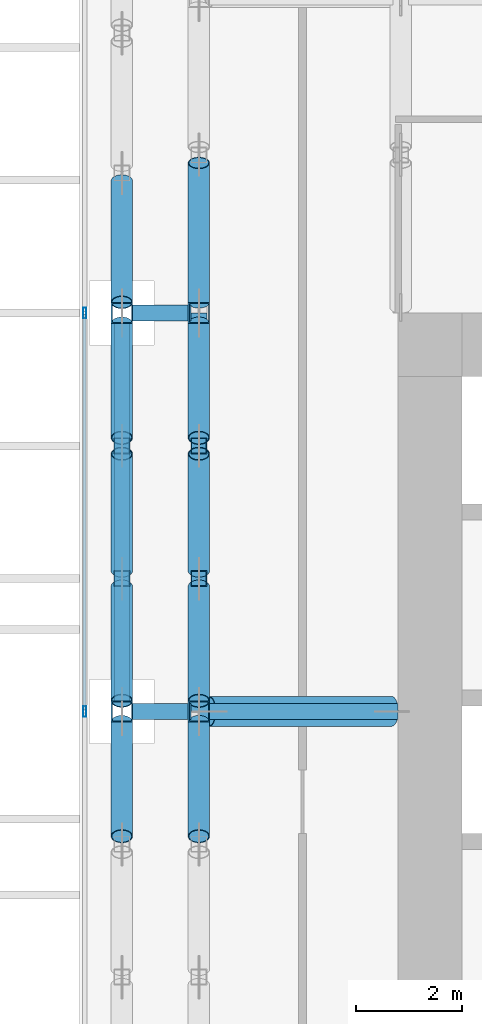
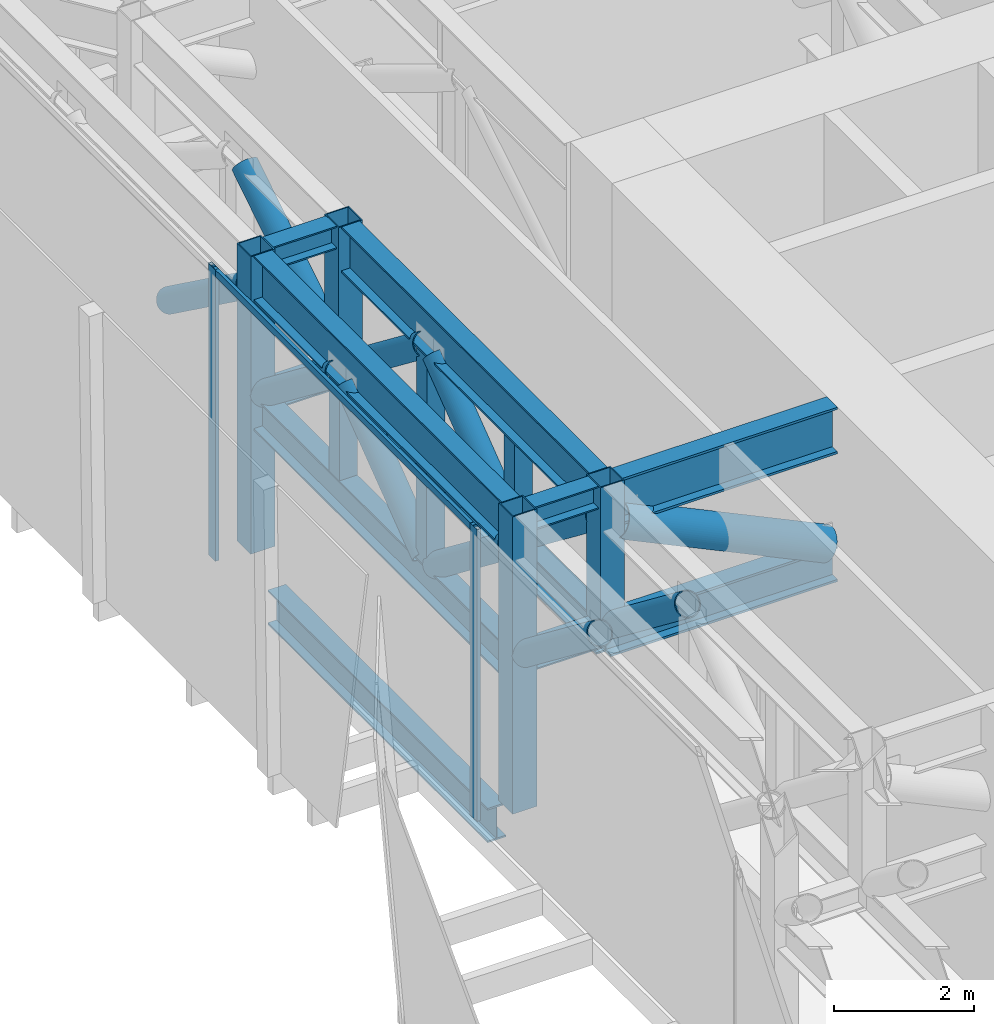
# One storey, part 17 of 39: 28 members, 5 beams, 1 element without a shape of its own.
"""IFC4 building model written with IfcOpenShell, lengths in metres."""

from ifc_helpers import new_model, si_unit, direction, frame, origin, origin_2d, place, context, subcontext, project, spatial, hollow_rectangle, hollow_circle, i_section, extrude, source, transform, mapped, material, material_profile, profile_set, type_object, element, aggregate, save


model = new_model("IFC4")

# Units and contexts
model_context = context("Model", 3, precision=1e-05, world=origin(), true_north=direction((0.0, 1.0)))
body_context = subcontext(model_context, "Body", "Model", "MODEL_VIEW")
ifc_project = project(units=[si_unit("LENGTHUNIT", "METRE"), si_unit("AREAUNIT", "SQUARE_METRE"), si_unit("VOLUMEUNIT", "CUBIC_METRE"), si_unit("PLANEANGLEUNIT", "RADIAN"), si_unit("MASSUNIT", "GRAM", prefix="KILO")], contexts=[model_context])

# Site, building, storey
site_placement = place(None, origin())
site = spatial("IfcSite", under=ifc_project, at=site_placement, CompositionType="ELEMENT")
building_placement = place(site_placement, origin())
building = spatial("IfcBuilding", under=site, at=building_placement, Name="Khomas Fold Tower", CompositionType="ELEMENT")
storey_placement = place(building_placement, frame((0.0, 0.0, 96.0)))
storey = spatial("IfcBuildingStorey", under=building, at=storey_placement, Name="L20", CompositionType="ELEMENT", Elevation=96.0)

# Beam
ifc_material_1 = material(Name="Steel S355", Category="steel")
ifc_material_profile_1 = material_profile(ifc_material_1, i_section(OverallWidth=0.300048828125, OverallDepth=0.60009765625, WebThickness=0.015380859375, FlangeThickness=0.030029296875, at=origin_2d()), Name="HE 600 B")
ifc_profile_set_1 = profile_set([ifc_material_profile_1], Name="Steel S355")
beam_type_1 = type_object("IfcBeamType", Name="HE 600 B spandrel SB1", PredefinedType="SPANDREL", material=ifc_profile_set_1)
shared_shape_1 = source(origin(), body_context, "Body", "SweptSolid", [
    extrude(i_section(OverallWidth=0.300048828125, OverallDepth=0.60009765625, WebThickness=0.015380859375, FlangeThickness=0.030029296875, at=origin_2d()), origin(), (0.0, 0.0, 1.0), 6.2998046875),
])
beam_placement = place(storey_placement, frame((0.800048828125, 35.10009765625, -0.699951171875), z_axis=(0.0, 1.0, 0.0), x_axis=(-1.0, 0.0, 0.0)))
element("IfcBeam", 1, at=beam_placement, inside=storey, type_object=beam_type_1, Name="SB1", PredefinedType="SPANDREL", context=body_context, shape_type="MappedRepresentation", body=[
    mapped(shared_shape_1, transform((0.0, 0.0, 0.0))),
])

# Members
ifc_material_2 = material(Name="Steel S355", Category="steel")
ifc_material_profile_2 = material_profile(ifc_material_2, i_section(OverallWidth=0.300048828125, OverallDepth=0.60009765625, WebThickness=0.015380859375, FlangeThickness=0.030029296875, at=origin_2d()), Name="HE 600 B")
ifc_profile_set_2 = profile_set([ifc_material_profile_2], Name="Steel S355")
member_type_1 = type_object("IfcMemberType", Name="BELT TRUSS 1 BOTTOM CHORD HE 600 B", PredefinedType="CHORD", material=ifc_profile_set_2)
shared_shape_2 = source(origin(), body_context, "Body", "SweptSolid", [
    extrude(i_section(OverallWidth=0.300048828125, OverallDepth=0.60009765625, WebThickness=0.015380859375, FlangeThickness=0.030029296875, at=origin_2d()), origin(), (0.0, 0.0, 1.0), 7.5),
])
member_1_placement = place(storey_placement, frame((2.25, 42.0, 2.449951171875), z_axis=(0.0, -1.0, 0.0), x_axis=(1.0, 0.0, 0.0)))
element("IfcMember", 2, at=member_1_placement, inside=storey, type_object=member_type_1, Name="BT1-CB", PredefinedType="CHORD", context=body_context, shape_type="MappedRepresentation", body=[
    mapped(shared_shape_2, transform((0.0, 0.0, 0.0))),
])
ifc_material_3 = material(Name="Steel S355", Category="steel")
ifc_material_profile_3 = material_profile(ifc_material_3, hollow_circle(Radius=0.203125, WallThickness=0.01611328125, at=origin_2d()), Name="CHS 406.4x16")
ifc_profile_set_3 = profile_set([ifc_material_profile_3], Name="Steel S355")
member_type_2 = type_object("IfcMemberType", Name="BELT TRUSS 1 DIAGONAL CHS 406.4x16", PredefinedType="BRACE", material=ifc_profile_set_3)
shared_shape_3 = source(origin(), body_context, "Body", "SweptSolid", [
    extrude(hollow_circle(Radius=0.203125, WallThickness=0.01611328125, at=origin_2d()), origin(), (0.0, 0.0, 1.0), 2.822998046875),
])
member_2_placement = place(storey_placement, frame((0.800048828125, 44.4833984375, 2.7451171875), z_axis=(0.0, -0.808866956084, 0.587991706876), x_axis=(1.0, 0.0, 0.0)))
element("IfcMember", 3, at=member_2_placement, inside=storey, type_object=member_type_2, Name="BT1-D", PredefinedType="BRACE", context=body_context, shape_type="MappedRepresentation", body=[
    mapped(shared_shape_3, transform((0.0, 0.0, 0.0))),
])
ifc_material_4 = material(Name="Steel S355", Category="steel")
ifc_material_profile_4 = material_profile(ifc_material_4, hollow_rectangle(XDim=0.300048828125, YDim=0.300048828125, WallThickness=0.01611328125, at=origin_2d()), Name="SHS 300x300x16")
ifc_profile_set_4 = profile_set([ifc_material_profile_4], Name="Steel S355")
member_type_3 = type_object("IfcMemberType", Name="BELT TRUSS 1 MID POST SHS 300x300x16", PredefinedType="POST", material=ifc_profile_set_4)
shared_shape_4 = source(origin(), body_context, "Body", "SweptSolid", [
    extrude(hollow_rectangle(XDim=0.300048828125, YDim=0.300048828125, WallThickness=0.01611328125, at=origin_2d()), origin(), (0.0, 0.0, 1.0), 1.64990234375),
])
for number, where, z_axis, x_axis, name in (
    (4, (0.800048828125, 39.5, 2.75), (0.0, 0.0, 1.0), (1.0, 0.0, 0.0), "BT1-M"),
    (5, (0.800048828125, 37.0, 2.75), (0.0, 0.0, 1.0), (1.0, 0.0, 0.0), "BT1-M"),
    (6, (2.25, 39.5, 2.75), (0.0, 0.0, 1.0), (1.0, 0.0, 0.0), "BT1-M"),
    (7, (2.25, 37.0, 2.75), (0.0, 0.0, 1.0), (1.0, 0.0, 0.0), "BT1-M"),
):
    element("IfcMember", number, at=place(storey_placement, frame(where, z_axis=z_axis, x_axis=x_axis)), inside=storey, type_object=member_type_3, Name=name, PredefinedType="POST", context=body_context, shape_type="MappedRepresentation", body=[
        mapped(shared_shape_4, transform((0.0, 0.0, 0.0))),
    ])
ifc_material_5 = material(Name="Steel S460M", Category="steel")
ifc_material_profile_5 = material_profile(ifc_material_5, i_section(OverallWidth=0.300048828125, OverallDepth=0.800048828125, WebThickness=0.017578125, FlangeThickness=0.032958984375, at=origin_2d()), Name="HE 800 B")
ifc_profile_set_5 = profile_set([ifc_material_profile_5], Name="Steel S460M")
member_type_4 = type_object("IfcMemberType", Name="BELT TRUSS 1 TOP CHORD HE 800 B", PredefinedType="CHORD", material=ifc_profile_set_5)
shared_shape_5 = source(origin(), body_context, "Body", "SweptSolid", [
    extrude(i_section(OverallWidth=0.300048828125, OverallDepth=0.800048828125, WebThickness=0.017578125, FlangeThickness=0.032958984375, at=origin_2d()), origin(), (0.0, 0.0, 1.0), 7.10009765625),
])
for number, where, z_axis, x_axis, name in (
    (8, (0.800048828125, 41.800048828125, 4.800048828125), (0.0, -1.0, 0.0), (1.0, 0.0, 0.0), "BT1-CT"),
    (9, (2.25, 41.800048828125, 4.800048828125), (0.0, -1.0, 0.0), (1.0, 0.0, 0.0), "BT1-CT"),
):
    element("IfcMember", number, at=place(storey_placement, frame(where, z_axis=z_axis, x_axis=x_axis)), inside=storey, type_object=member_type_4, Name=name, PredefinedType="CHORD", context=body_context, shape_type="MappedRepresentation", body=[
        mapped(shared_shape_5, transform((0.0, 0.0, 0.0))),
    ])
shared_shape_6 = source(origin(), body_context, "Body", "SweptSolid", [
    extrude(i_section(OverallWidth=0.300048828125, OverallDepth=0.60009765625, WebThickness=0.015380859375, FlangeThickness=0.030029296875, at=origin_2d()), origin(), (0.0, 0.0, 1.0), 7.10009765625),
])
member_3_placement = place(storey_placement, frame((0.800048828125, 41.800048828125, 2.449951171875), z_axis=(0.0, -1.0, 0.0), x_axis=(1.0, 0.0, 0.0)))
element("IfcMember", 10, at=member_3_placement, inside=storey, type_object=member_type_1, Name="BT1-CB", PredefinedType="CHORD", context=body_context, shape_type="MappedRepresentation", body=[
    mapped(shared_shape_6, transform((0.0, 0.0, 0.0))),
])
shared_shape_7 = source(origin(), body_context, "Body", "SweptSolid", [
    extrude(hollow_circle(Radius=0.203125, WallThickness=0.01611328125, at=origin_2d()), origin(), (0.0, 0.0, 1.0), 2.71630859375),
])
for number, where, z_axis, x_axis, name in (
    (11, (0.800048828125, 41.800048828125, 2.7451171875), (0.0, -0.791563625226, 0.611086759159), (1.0, 0.0, 0.0), "BT1-D"),
    (12, (0.800048828125, 36.85009765625, 2.7451171875), (0.0, -0.791563625226, 0.611086759159), (1.0, 0.0, 0.0), "BT1-D"),
    (13, (0.800048828125, 34.300048828125, 2.7451171875), (0.0, -0.791563625226, 0.611086759159), (1.0, 0.0, 0.0), "BT1-D"),
    (14, (2.25, 41.800048828125, 2.7451171875), (0.0, -0.791563625226, 0.611086759159), (1.0, 0.0, 0.0), "BT1-D"),
    (15, (2.25, 36.85009765625, 2.7451171875), (0.0, -0.791563625226, 0.611086759159), (1.0, 0.0, 0.0), "BT1-D"),
    (16, (2.25, 34.300048828125, 2.7451171875), (0.0, -0.791563625226, 0.611086759159), (1.0, 0.0, 0.0), "BT1-D"),
):
    element("IfcMember", number, at=place(storey_placement, frame(where, z_axis=z_axis, x_axis=x_axis)), inside=storey, type_object=member_type_2, Name=name, PredefinedType="BRACE", context=body_context, shape_type="MappedRepresentation", body=[
        mapped(shared_shape_7, transform((0.0, 0.0, 0.0))),
    ])
shared_shape_8 = source(origin(), body_context, "Body", "SweptSolid", [
    extrude(hollow_circle(Radius=0.203125, WallThickness=0.01611328125, at=origin_2d()), origin(), (0.0, 0.0, 1.0), 2.756103515625),
])
for number, where, z_axis, x_axis, name in (
    (17, (0.800048828125, 39.35009765625, 4.405029296875), (0.0, -0.798296022167, -0.602265274602), (1.0, 0.0, 0.0), "BT1-D"),
    (18, (2.25, 39.35009765625, 4.405029296875), (0.0, -0.798296022167, -0.602265274602), (1.0, 0.0, 0.0), "BT1-D"),
):
    element("IfcMember", number, at=place(storey_placement, frame(where, z_axis=z_axis, x_axis=x_axis)), inside=storey, type_object=member_type_2, Name=name, PredefinedType="BRACE", context=body_context, shape_type="MappedRepresentation", body=[
        mapped(shared_shape_8, transform((0.0, 0.0, 0.0))),
    ])
shared_shape_9 = source(origin(), body_context, "Body", "SweptSolid", [
    extrude(hollow_circle(Radius=0.203125, WallThickness=0.01611328125, at=origin_2d()), origin(), (0.0, 0.0, 1.0), 3.105712890625),
])
member_4_placement = place(storey_placement, frame((2.25, 44.824951171875, 4.405029296875), z_axis=(0.0, -0.84519551241, -0.534457244129), x_axis=(1.0, 0.0, 0.0)))
element("IfcMember", 19, at=member_4_placement, inside=storey, type_object=member_type_2, Name="BT1-D", PredefinedType="BRACE", context=body_context, shape_type="MappedRepresentation", body=[
    mapped(shared_shape_9, transform((0.0, 0.0, 0.0))),
])
ifc_material_6 = material(Name="Steel S460M", Category="steel")
ifc_material_profile_6 = material_profile(ifc_material_6, hollow_rectangle(XDim=0.39990234375, YDim=0.39990234375, WallThickness=0.02001953125, at=origin_2d()), Name="SHS 400x400x20")
ifc_profile_set_6 = profile_set([ifc_material_profile_6], Name="Steel S460M")
member_type_5 = type_object("IfcMemberType", Name="BELT TRUSS 1 COLUMN POST LONG SHS 400x400x20", PredefinedType="POST", material=ifc_profile_set_6)
shared_shape_10 = source(origin(), body_context, "Body", "SweptSolid", [
    extrude(hollow_rectangle(XDim=0.39990234375, YDim=0.39990234375, WallThickness=0.02001953125, at=origin_2d()), origin(), (0.0, 0.0, 1.0), 5.199951171875),
])
for number, where, z_axis, x_axis, name in (
    (20, (0.800048828125, 42.0, 0.0), (0.0, 0.0, 1.0), (1.0, 0.0, 0.0), "BT1-PL"),
    (21, (0.800048828125, 34.5, 0.0), (0.0, 0.0, 1.0), (1.0, 0.0, 0.0), "BT1-PL"),
):
    element("IfcMember", number, at=place(storey_placement, frame(where, z_axis=z_axis, x_axis=x_axis)), inside=storey, type_object=member_type_5, Name=name, PredefinedType="POST", context=body_context, shape_type="MappedRepresentation", body=[
        mapped(shared_shape_10, transform((0.0, 0.0, 0.0))),
    ])
ifc_material_7 = material(Name="Steel S460M", Category="steel")
ifc_material_profile_7 = material_profile(ifc_material_7, hollow_rectangle(XDim=0.39990234375, YDim=0.39990234375, WallThickness=0.02001953125, at=origin_2d()), Name="SHS 400x400x20")
ifc_profile_set_7 = profile_set([ifc_material_profile_7], Name="Steel S460M")
member_type_6 = type_object("IfcMemberType", Name="BELT TRUSS 1 COLUMN POST SHS 400x400x20", PredefinedType="POST", material=ifc_profile_set_7)
shared_shape_11 = source(origin(), body_context, "Body", "SweptSolid", [
    extrude(hollow_rectangle(XDim=0.39990234375, YDim=0.39990234375, WallThickness=0.02001953125, at=origin_2d()), origin(), (0.0, 0.0, 1.0), 2.449951171875),
])
for number, where, z_axis, x_axis, name in (
    (22, (2.25, 42.0, 2.75), (0.0, 0.0, 1.0), (1.0, 0.0, 0.0), "BT1-P"),
    (23, (2.25, 34.5, 2.75), (0.0, 0.0, 1.0), (1.0, 0.0, 0.0), "BT1-P"),
):
    element("IfcMember", number, at=place(storey_placement, frame(where, z_axis=z_axis, x_axis=x_axis)), inside=storey, type_object=member_type_6, Name=name, PredefinedType="POST", context=body_context, shape_type="MappedRepresentation", body=[
        mapped(shared_shape_11, transform((0.0, 0.0, 0.0))),
    ])

# Beams
ifc_material_8 = material(Name="Steel S355", Category="steel")
ifc_material_profile_8 = material_profile(ifc_material_8, i_section(OverallWidth=0.300048828125, OverallDepth=0.39990234375, WebThickness=0.013427734375, FlangeThickness=0.02392578125, at=origin_2d()), Name="HE 400 B")
ifc_profile_set_8 = profile_set([ifc_material_profile_8], Name="Steel S355")
beam_type_2 = type_object("IfcBeamType", Name="BELT TRUSS 1 TOP STRUT HE 400 B", PredefinedType="BEAM", material=ifc_profile_set_8)
shared_shape_12 = source(origin(), body_context, "Body", "SweptSolid", [
    extrude(i_section(OverallWidth=0.300048828125, OverallDepth=0.39990234375, WebThickness=0.013427734375, FlangeThickness=0.02392578125, at=origin_2d()), origin(), (0.0, 0.0, 1.0), 1.050048828125),
])
for number, where, z_axis, x_axis, name in (
    (24, (2.050048828125, 34.5, 5.0), (-1.0, 0.0, 0.0), (0.0, -1.0, 0.0), "BT1-ST"),
    (25, (2.050048828125, 42.0, 5.0), (-1.0, 0.0, 0.0), (0.0, -1.0, 0.0), "BT1-ST"),
):
    element("IfcBeam", number, at=place(storey_placement, frame(where, z_axis=z_axis, x_axis=x_axis)), inside=storey, type_object=beam_type_2, Name=name, PredefinedType="BEAM", context=body_context, shape_type="MappedRepresentation", body=[
        mapped(shared_shape_12, transform((0.0, 0.0, 0.0))),
    ])
ifc_material_9 = material(Name="Steel S355", Category="steel")
ifc_material_profile_9 = material_profile(ifc_material_9, i_section(OverallWidth=0.300048828125, OverallDepth=0.39990234375, WebThickness=0.013427734375, FlangeThickness=0.02392578125, at=origin_2d()), Name="HE 400 B")
ifc_profile_set_9 = profile_set([ifc_material_profile_9], Name="Steel S355")
beam_type_3 = type_object("IfcBeamType", Name="BELT TRUSS 1 BOTTOM STRUT HE 400 B", PredefinedType="BEAM", material=ifc_profile_set_9)
shared_shape_13 = source(origin(), body_context, "Body", "SweptSolid", [
    extrude(i_section(OverallWidth=0.300048828125, OverallDepth=0.39990234375, WebThickness=0.013427734375, FlangeThickness=0.02392578125, at=origin_2d()), origin(), (0.0, 0.0, 1.0), 1.10009765625),
])
for number, where, z_axis, x_axis, name in (
    (26, (2.10009765625, 34.5, 2.550048828125), (-1.0, 0.0, 0.0), (0.0, -1.0, 0.0), "BT1-SB"),
    (27, (2.10009765625, 42.0, 2.550048828125), (-1.0, 0.0, 0.0), (0.0, -1.0, 0.0), "BT1-SB"),
):
    element("IfcBeam", number, at=place(storey_placement, frame(where, z_axis=z_axis, x_axis=x_axis)), inside=storey, type_object=beam_type_3, Name=name, PredefinedType="BEAM", context=body_context, shape_type="MappedRepresentation", body=[
        mapped(shared_shape_13, transform((0.0, 0.0, 0.0))),
    ])

# Members
ifc_material_10 = material(Name="Steel S460M", Category="steel")
ifc_material_profile_10 = material_profile(ifc_material_10, i_section(OverallWidth=0.302978515625, OverallDepth=0.81396484375, WebThickness=0.02099609375, FlangeThickness=0.0400390625, at=origin_2d()), Name="HE 800 M")
ifc_profile_set_10 = profile_set([ifc_material_profile_10], Name="Steel S460M")
member_type_7 = type_object("IfcMemberType", Name="OUTRIGGER 1 TOP CHORD HE 800 M", PredefinedType="CHORD", material=ifc_profile_set_10)
shared_shape_14 = source(origin(), body_context, "Body", "SweptSolid", [
    extrude(i_section(OverallWidth=0.302978515625, OverallDepth=0.81396484375, WebThickness=0.02099609375, FlangeThickness=0.0400390625, at=origin_2d()), origin(), (0.0, 0.0, 1.0), 3.550048828125),
])
member_5_placement = place(storey_placement, frame((6.0, 34.5, 4.79296875), z_axis=(-1.0, 0.0, 0.0), x_axis=(0.0, -1.0, 0.0)))
element("IfcMember", 28, at=member_5_placement, inside=storey, type_object=member_type_7, Name="OR1-CT", PredefinedType="CHORD", context=body_context, shape_type="MappedRepresentation", body=[
    mapped(shared_shape_14, transform((0.0, 0.0, 0.0))),
])
ifc_material_11 = material(Name="Steel S460M", Category="steel")
ifc_material_profile_11 = material_profile(ifc_material_11, i_section(OverallWidth=0.304931640625, OverallDepth=0.6201171875, WebThickness=0.02099609375, FlangeThickness=0.0400390625, at=origin_2d()), Name="HE 600 M")
ifc_profile_set_11 = profile_set([ifc_material_profile_11], Name="Steel S460M")
member_type_8 = type_object("IfcMemberType", Name="OUTRIGGER 1 BOTTOM CHORD HE 600 M", PredefinedType="CHORD", material=ifc_profile_set_11)
shared_shape_15 = source(origin(), body_context, "Body", "SweptSolid", [
    extrude(i_section(OverallWidth=0.304931640625, OverallDepth=0.6201171875, WebThickness=0.02099609375, FlangeThickness=0.0400390625, at=origin_2d()), origin(), (0.0, 0.0, 1.0), 3.75),
])
member_6_placement = place(storey_placement, frame((6.0, 34.5, 2.4599609375), z_axis=(-1.0, 0.0, 0.0), x_axis=(0.0, -1.0, 0.0)))
element("IfcMember", 29, at=member_6_placement, inside=storey, type_object=member_type_8, Name="OR1-CB", PredefinedType="CHORD", context=body_context, shape_type="MappedRepresentation", body=[
    mapped(shared_shape_15, transform((0.0, 0.0, 0.0))),
])
ifc_material_12 = material(Name="Steel S355", Category="steel")
ifc_material_profile_12 = material_profile(ifc_material_12, hollow_circle(Radius=0.279541015625, WallThickness=0.01611328125, at=origin_2d()), Name="CHS 559x16")
ifc_profile_set_12 = profile_set([ifc_material_profile_12], Name="Steel S355")
member_type_9 = type_object("IfcMemberType", Name="OUTRIGGER 1 DIAGONAL CHS 559x16", PredefinedType="BRACE", material=ifc_profile_set_12)
shared_shape_16 = source(origin(), body_context, "Body", "SweptSolid", [
    extrude(hollow_circle(Radius=0.279541015625, WallThickness=0.01611328125, at=origin_2d()), origin(), (0.0, 0.0, 1.0), 3.7998046875),
])
member_7_placement = place(storey_placement, frame((5.88427734375, 34.5, 2.764892578125), z_axis=(-0.903795393476, 0.0, 0.427964819503), x_axis=(0.0, -1.0, 0.0)))
element("IfcMember", 30, at=member_7_placement, inside=storey, type_object=member_type_9, Name="OR1-D", PredefinedType="BRACE", context=body_context, shape_type="MappedRepresentation", body=[
    mapped(shared_shape_16, transform((0.0, 0.0, 0.0))),
])

# Curtain wall, members
ifc_material_13 = material(Name="Aluminium framed double glazing", Category="aluminium")
curtain_wall_type = type_object("IfcCurtainWallType", Name="SK-Plant louvre wall CW4", PredefinedType="NOTDEFINED", material=ifc_material_13)
curtain_wall_placement = place(storey_placement, origin())
curtain_wall = element("IfcCurtainWall", 31, at=curtain_wall_placement, inside=storey, type_object=curtain_wall_type, Name="CW4 run L20 09-0", PredefinedType="NOTDEFINED")
ifc_material_14 = material(Name="Aluminium", Category="aluminium")
ifc_material_profile_13 = material_profile(ifc_material_14, hollow_rectangle(XDim=0.06005859375, YDim=0.199951171875, WallThickness=0.00390625, at=origin_2d()), Name="SK-Plant louvre wall mullion CW4-M")
ifc_profile_set_13 = profile_set([ifc_material_profile_13], Name="Aluminium")
member_type_10 = type_object("IfcMemberType", Name="SK-Plant louvre wall mullion CW4-M", PredefinedType="MULLION", material=ifc_profile_set_13)
shared_shape_17 = source(origin(), body_context, "Body", "SweptSolid", [
    extrude(hollow_rectangle(XDim=0.06005859375, YDim=0.199951171875, WallThickness=0.00390625, at=origin_2d()), origin(), (0.0, 0.0, 1.0), 5.10009765625),
])
member_8_placement = place(storey_placement, frame((0.10009765625, 42.0, 0.0), z_axis=(0.0, 0.0, 1.0), x_axis=(1.0, 0.0, 0.0)))
member_8 = element("IfcMember", 32, at=member_8_placement, type_object=member_type_10, Name="CW4 mullion 3", PredefinedType="MULLION", context=body_context, shape_type="MappedRepresentation", body=[
    mapped(shared_shape_17, transform((0.0, 0.0, 0.0))),
])
member_9_placement = place(storey_placement, frame((0.10009765625, 34.5, 0.0), z_axis=(0.0, 0.0, 1.0), x_axis=(1.0, 0.0, 0.0)))
member_9 = element("IfcMember", 33, at=member_9_placement, type_object=member_type_10, Name="CW4 mullion 4", PredefinedType="MULLION", context=body_context, shape_type="MappedRepresentation", body=[
    mapped(shared_shape_17, transform((0.0, 0.0, 0.0))),
])
ifc_material_15 = material(Name="Aluminium", Category="aluminium")
ifc_material_profile_14 = material_profile(ifc_material_15, hollow_rectangle(XDim=0.06005859375, YDim=0.1201171875, WallThickness=0.00390625, at=origin_2d()), Name="SK-Plant louvre wall transom CW4-T")
ifc_profile_set_14 = profile_set([ifc_material_profile_14], Name="Aluminium")
member_type_11 = type_object("IfcMemberType", Name="SK-Plant louvre wall transom CW4-T", PredefinedType="USERDEFINED", material=ifc_profile_set_14)
shared_shape_18 = source(origin(), body_context, "Body", "SweptSolid", [
    extrude(hollow_rectangle(XDim=0.06005859375, YDim=0.1201171875, WallThickness=0.00390625, at=origin_2d()), origin(), (0.0, 0.0, 1.0), 7.43994140625),
])
member_10_placement = place(storey_placement, frame((0.10009765625, 41.969970703125, 5.0400390625), z_axis=(0.0, -1.0, 0.0), x_axis=(1.0, 0.0, 0.0)))
member_10 = element("IfcMember", 34, at=member_10_placement, type_object=member_type_11, Name="CW4 transom 3", ObjectType="TRANSOM", PredefinedType="USERDEFINED", context=body_context, shape_type="MappedRepresentation", body=[
    mapped(shared_shape_18, transform((0.0, 0.0, 0.0))),
])
aggregate(curtain_wall, [member_8, member_9, member_10])

save(model, "model.ifc")
